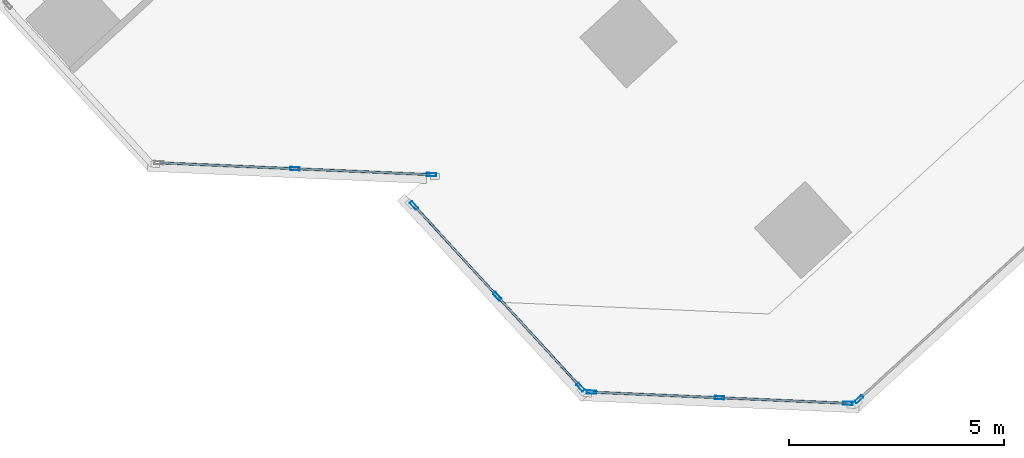
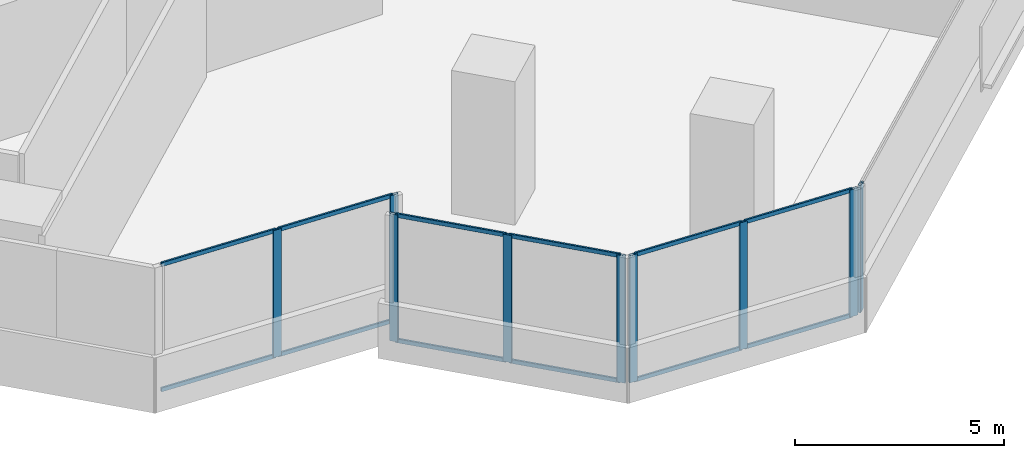
# One storey, part 3 of 16: 21 members, 4 elements without a shape of their own.
"""IFC4 building model written with IfcOpenShell, lengths in metres."""

import ifcopenshell
import ifcopenshell.guid

model = None  # the IFC model being written
_history = None  # IfcOwnerHistory: only IFC2X3 demands one
_inside = {}  # id of a spatial element -> (the spatial element, [elements in it])
_under = {}  # id of a project, library or spatial element -> (it, [spatial elements below it])
_declared = {}  # id of a project -> (the project, [libraries it declares])
_typed = {}  # id of a type object -> (the type object, [elements of that type])
_made_of = {}  # id of a material, layer set ... -> (it, [elements and type objects made of it])


def new_model(schema):
    """Start an empty IFC model of exactly this schema.

    Asked for "IFC4X3", IfcOpenShell would pick the latest addendum, in which some entities
    have other attributes; the version numbers below select the first issue.
    IFC2X3 requires an IfcOwnerHistory on every rooted entity: one is made here for all.
    """
    global model, _history
    if schema == "IFC4X3":
        model = ifcopenshell.file(schema_version=(4, 3, 0, 0))
    else:
        model = ifcopenshell.file(schema=schema)
    _inside.clear()
    _under.clear()
    _declared.clear()
    _typed.clear()
    _made_of.clear()
    _history = None
    if model.schema == "IFC2X3":
        org = make("IfcOrganization", Name="unknown")
        user = make(
            "IfcPersonAndOrganization",
            ThePerson=make("IfcPerson", FamilyName="unknown"),
            TheOrganization=org,
        )
        app = make(
            "IfcApplication",
            ApplicationDeveloper=org,
            Version="unknown",
            ApplicationFullName="unknown",
            ApplicationIdentifier="unknown",
        )
        _history = make(
            "IfcOwnerHistory",
            OwningUser=user,
            OwningApplication=app,
            ChangeAction="ADDED",
            CreationDate=0,
        )
    return model


def make(cls, **values):
    """One entity of the class cls with the attributes given. An attribute that is None is left unset."""
    return model.create_entity(
        cls, **{name: value for name, value in values.items() if value is not None}
    )


def rooted(cls, **values):
    """An entity with a GlobalId (a new one), such as an element, a storey or a relation."""
    return make(cls, GlobalId=ifcopenshell.guid.new(), OwnerHistory=_history, **values)


def si_unit(unit_type, name, prefix=None):
    """IfcSIUnit, for example si_unit("LENGTHUNIT", "METRE", prefix="MILLI")."""
    return make("IfcSIUnit", UnitType=unit_type, Prefix=prefix, Name=name)


def assignment(units):
    """IfcUnitAssignment: the units of a project."""
    return None if units is None else make("IfcUnitAssignment", Units=units)


def point(xyz):
    """IfcCartesianPoint."""
    return None if xyz is None else make("IfcCartesianPoint", Coordinates=xyz)


def direction(xyz):
    """IfcDirection."""
    return None if xyz is None else make("IfcDirection", DirectionRatios=xyz)


def frame(location, z_axis=None, x_axis=None):
    """IfcAxis2Placement3D, a coordinate frame: its origin and axes. An axis left out is left unset."""
    return make(
        "IfcAxis2Placement3D",
        Location=point(location),
        Axis=direction(z_axis),
        RefDirection=direction(x_axis),
    )


def frame_2d(location, x_axis=None):
    """IfcAxis2Placement2D, a coordinate frame in the plane: its origin and x axis."""
    return make(
        "IfcAxis2Placement2D", Location=point(location), RefDirection=direction(x_axis)
    )


def origin():
    """The frame at (0, 0, 0) with its axes left unset."""
    return frame((0.0, 0.0, 0.0))


def origin_2d():
    """The frame at (0, 0) in the plane with its x axis left unset."""
    return frame_2d((0.0, 0.0))


def place(relative_to, where):
    """IfcLocalPlacement: puts the frame where relative to a parent placement (None: the world)."""
    return make(
        "IfcLocalPlacement", PlacementRelTo=relative_to, RelativePlacement=where
    )


def context(
    kind, dimensions, precision=None, world=None, true_north=None, identifier=None
):
    """IfcGeometricRepresentationContext, for example the 3D "Model" context."""
    return make(
        "IfcGeometricRepresentationContext",
        ContextIdentifier=identifier,
        ContextType=kind,
        CoordinateSpaceDimension=dimensions,
        Precision=precision,
        WorldCoordinateSystem=world,
        TrueNorth=true_north,
    )


def subcontext(parent, identifier, kind, view, scale=None):
    """IfcGeometricRepresentationSubContext, for example "Body" below "Model"."""
    return make(
        "IfcGeometricRepresentationSubContext",
        ContextIdentifier=identifier,
        ContextType=kind,
        ParentContext=parent,
        TargetScale=scale,
        TargetView=view,
    )


def project(units=None, contexts=None):
    """IfcProject with its units and contexts."""
    return rooted(
        "IfcProject",
        Name="project",
        RepresentationContexts=contexts,
        UnitsInContext=assignment(units),
    )


def spatial(cls, under=None, at=None, **own):
    """A site, building, storey or space (cls), placed at a placement, below another one or the project."""
    s = rooted(cls, ObjectPlacement=at, **own)
    if under is not None:
        _under.setdefault(under.id(), (under, []))[1].append(s)
    return s


def profile(cls, at=None, kind="AREA", **sizes):
    """A parametric profile (cls). Its sizes go by their IFC names, for example OverallWidth=200.0."""
    return make(cls, ProfileType=kind, Position=at, **sizes)


def hollow_rectangle(**sizes):
    """IfcRectangleHollowProfileDef."""
    return profile("IfcRectangleHollowProfileDef", **sizes)


def extrude(swept, where, along, depth):
    """IfcExtrudedAreaSolid: the profile swept, set in the frame where, extruded along a direction by depth."""
    return make(
        "IfcExtrudedAreaSolid",
        SweptArea=swept,
        Position=where,
        ExtrudedDirection=direction(along),
        Depth=depth,
    )


def shape(context_of_items, identifier, shape_type, items):
    """IfcShapeRepresentation: the items that make up one representation, for example the "Body"."""
    return make(
        "IfcShapeRepresentation",
        ContextOfItems=context_of_items,
        RepresentationIdentifier=identifier,
        RepresentationType=shape_type,
        Items=items,
    )


def source(mapping_origin, context_of_items, identifier, shape_type, items):
    """IfcRepresentationMap: a shape defined once, which mapped items show again and again."""
    return make(
        "IfcRepresentationMap",
        MappingOrigin=mapping_origin,
        MappedRepresentation=shape(context_of_items, identifier, shape_type, items),
    )


def transform(
    local_origin,
    x_axis=None,
    y_axis=None,
    z_axis=None,
    scale=None,
    scale2=None,
    scale3=None,
    uniform=True,
):
    """IfcCartesianTransformationOperator3D, or its non-uniform kind. x_axis, y_axis, z_axis: its Axis1, 2, 3."""
    if uniform:
        return make(
            "IfcCartesianTransformationOperator3D",
            Axis1=direction(x_axis),
            Axis2=direction(y_axis),
            LocalOrigin=point(local_origin),
            Scale=scale,
            Axis3=direction(z_axis),
        )
    return make(
        "IfcCartesianTransformationOperator3DnonUniform",
        Axis1=direction(x_axis),
        Axis2=direction(y_axis),
        LocalOrigin=point(local_origin),
        Scale=scale,
        Axis3=direction(z_axis),
        Scale2=scale2,
        Scale3=scale3,
    )


def mapped(mapping_source, mapping_target):
    """IfcMappedItem: shows the shape of a source again, moved by a transform."""
    return make(
        "IfcMappedItem", MappingSource=mapping_source, MappingTarget=mapping_target
    )


def material(Name=None, Category=None):
    """IfcMaterial."""
    return make("IfcMaterial", Name=Name, Category=Category)


def material_profile(
    of_material, cross_section, Name=None, Category=None, Priority=None
):
    """IfcMaterialProfile: a cross section and its material."""
    return make(
        "IfcMaterialProfile",
        Name=Name,
        Material=of_material,
        Profile=cross_section,
        Priority=Priority,
        Category=Category,
    )


def profile_set(profiles, Name=None, composite=None):
    """IfcMaterialProfileSet."""
    return make(
        "IfcMaterialProfileSet",
        Name=Name,
        MaterialProfiles=profiles,
        CompositeProfile=composite,
    )


def made_of(thing, what):
    """Note that an element or type object is made of a material, layer set ...; save() writes the relation."""
    if what is not None:
        _made_of.setdefault(what.id(), (what, []))[1].append(thing)
    return thing


def type_object(cls, material=None, **own):
    """A type object (cls), such as IfcWallType, which elements share."""
    return made_of(rooted(cls, **own), material)


def element(
    cls,
    number,
    at=None,
    inside=None,
    cuts=None,
    type_object=None,
    material=None,
    context=None,
    identifier="Body",
    shape_type=None,
    held_by="IfcProductDefinitionShape",
    body=None,
    shapes=None,
    **own,
):
    """One element of the class cls, such as IfcWall. Its Tag is "e" and its number.

    at: its placement. inside: the storey or other place that contains it. cuts: it is an
    opening in that element (IfcRelVoidsElement). A single representation is given by context,
    identifier, shape_type and body (its items); several are given by shapes. held_by: the class
    of the entity that holds the representations. save() writes the other relations.
    """
    e = rooted(cls, Tag="e%d" % number, ObjectPlacement=at, **own)
    if body is not None:
        shapes = [shape(context, identifier, shape_type, body)]
    if shapes is not None:
        e.Representation = make(held_by, Representations=shapes)
    if inside is not None:
        _inside.setdefault(inside.id(), (inside, []))[1].append(e)
    if cuts is not None:
        rooted(
            "IfcRelVoidsElement", RelatingBuildingElement=cuts, RelatedOpeningElement=e
        )
    if type_object is not None:
        _typed.setdefault(type_object.id(), (type_object, []))[1].append(e)
    return made_of(e, material)


def aggregate(whole, parts):
    """IfcRelAggregates: a whole, such as a stair, and the parts it consists of."""
    return rooted("IfcRelAggregates", RelatingObject=whole, RelatedObjects=parts)


def save(model, path):
    """Write the relations noted so far, then the file.

    IfcRelAggregates (storeys below a building ...), IfcRelContainedInSpatialStructure (elements
    in a storey), IfcRelDefinesByType, IfcRelAssociatesMaterial and IfcRelDeclares: one each for
    every whole, place, type object, material and project.
    """
    for whole, parts in _under.values():
        aggregate(whole, parts)
    for where, things in _inside.values():
        rooted(
            "IfcRelContainedInSpatialStructure",
            RelatedElements=things,
            RelatingStructure=where,
        )
    for kind, things in _typed.values():
        rooted("IfcRelDefinesByType", RelatedObjects=things, RelatingType=kind)
    for what, things in _made_of.values():
        rooted("IfcRelAssociatesMaterial", RelatedObjects=things, RelatingMaterial=what)
    for by, libraries in _declared.values():
        rooted("IfcRelDeclares", RelatingContext=by, RelatedDefinitions=libraries)
    model.write(path)


model = new_model("IFC4")

# Units and contexts
model_context = context("Model", 3, precision=1e-05, world=origin(), true_north=direction((0.0, 1.0)))
body_context = subcontext(model_context, "Body", "Model", "MODEL_VIEW")
ifc_project = project(units=[si_unit("LENGTHUNIT", "METRE"), si_unit("AREAUNIT", "SQUARE_METRE"), si_unit("VOLUMEUNIT", "CUBIC_METRE"), si_unit("PLANEANGLEUNIT", "RADIAN"), si_unit("MASSUNIT", "GRAM", prefix="KILO")], contexts=[model_context])

# Site, building, storey
site_placement = place(None, origin())
site = spatial("IfcSite", under=ifc_project, at=site_placement, CompositionType="ELEMENT")
building_placement = place(site_placement, origin())
building = spatial("IfcBuilding", under=site, at=building_placement, Name="Torre Montelarca", CompositionType="ELEMENT")
storey_placement = place(building_placement, frame((0.0, 0.0, 262.60009765625)))
storey = spatial("IfcBuildingStorey", under=building, at=storey_placement, Name="L59", CompositionType="ELEMENT", Elevation=262.60009765625)

# Curtain wall, members
ifc_material_1 = material(Name="Insulated low-E laminated glass", Category="glass")
curtain_wall_type = type_object("IfcCurtainWallType", Name="CW-SYS-Z3", PredefinedType="USERDEFINED", material=ifc_material_1)
curtain_wall_1_placement = place(storey_placement, origin())
curtain_wall_1 = element("IfcCurtainWall", 1, at=curtain_wall_1_placement, inside=storey, type_object=curtain_wall_type, Name="L59 Curtain Wall Run CW-T3-L59-E02-B1", ObjectType="UNITISED GLAZING", PredefinedType="USERDEFINED")
ifc_material_2 = material(Name="Anodised aluminium AA 6063-T6", Category="aluminium")
ifc_material_profile_1 = material_profile(ifc_material_2, hollow_rectangle(XDim=0.054931640625, YDim=0.1201171875, WallThickness=0.00341796875, InnerFilletRadius=0.00341796875, OuterFilletRadius=0.007080078125, at=origin_2d()), Name="ALU55X120X3.5", Category="aluminium")
ifc_profile_set_1 = profile_set([ifc_material_profile_1], Name="Anodised aluminium AA 6063-T6")
member_type_1 = type_object("IfcMemberType", Name="CWT-ALU120", PredefinedType="USERDEFINED", material=ifc_profile_set_1)
shared_shape_1 = source(origin(), body_context, "Body", "SweptSolid", [
    extrude(hollow_rectangle(XDim=0.054931640625, YDim=0.1201171875, WallThickness=0.00341796875, InnerFilletRadius=0.00341796875, OuterFilletRadius=0.007080078125, at=origin_2d()), origin(), (0.0, 0.0, 1.0), 3.08740234375),
])
member_1_placement = place(storey_placement, frame((17.702880859375, 12.90283203125, 0.02734375), z_axis=(0.999046885294, -0.043649982641, 0.0), x_axis=(0.043649982641, 0.999046885294, 0.0)))
member_1 = element("IfcMember", 2, at=member_1_placement, type_object=member_type_1, Name="CW transom 2.1", ObjectType="TRANSOM", PredefinedType="USERDEFINED", context=body_context, shape_type="MappedRepresentation", body=[
    mapped(shared_shape_1, transform((0.0, 0.0, 0.0), scale=1.0)),
])
member_2_placement = place(storey_placement, frame((17.702880859375, 12.90283203125, 3.6923828125), z_axis=(0.999046885294, -0.043649982641, 0.0), x_axis=(0.043649982641, 0.999046885294, 0.0)))
member_2 = element("IfcMember", 3, at=member_2_placement, type_object=member_type_1, Name="CW transom 2.2", ObjectType="TRANSOM", PredefinedType="USERDEFINED", context=body_context, shape_type="MappedRepresentation", body=[
    mapped(shared_shape_1, transform((0.0, 0.0, 0.0), scale=1.0)),
])

curtain_wall_2_placement = place(storey_placement, origin())
curtain_wall_2 = element("IfcCurtainWall", 4, at=curtain_wall_2_placement, inside=storey, type_object=curtain_wall_type, Name="L59 Curtain Wall Run CW-T3-L59-E05-B1", ObjectType="UNITISED GLAZING", PredefinedType="USERDEFINED")
shared_shape_2 = source(origin(), body_context, "Body", "SweptSolid", [
    extrude(hollow_rectangle(XDim=0.054931640625, YDim=0.1201171875, WallThickness=0.00341796875, InnerFilletRadius=0.00341796875, OuterFilletRadius=0.007080078125, at=origin_2d()), origin(), (0.0, 0.0, 1.0), 2.903564453125),
])
member_3_placement = place(storey_placement, frame((24.57373046875, 7.718994140625, 0.02734375), z_axis=(0.999047412839, -0.043637906688, 0.0), x_axis=(0.043637906688, 0.999047412839, 0.0)))
member_3 = element("IfcMember", 5, at=member_3_placement, type_object=member_type_1, Name="CW transom 1.1", ObjectType="TRANSOM", PredefinedType="USERDEFINED", context=body_context, shape_type="MappedRepresentation", body=[
    mapped(shared_shape_2, transform((0.0, 0.0, 0.0), scale=1.0)),
])
member_4_placement = place(storey_placement, frame((24.57373046875, 7.718994140625, 3.6923828125), z_axis=(0.999047412839, -0.043637906688, 0.0), x_axis=(0.043637906688, 0.999047412839, 0.0)))
member_4 = element("IfcMember", 6, at=member_4_placement, type_object=member_type_1, Name="CW transom 1.2", ObjectType="TRANSOM", PredefinedType="USERDEFINED", context=body_context, shape_type="MappedRepresentation", body=[
    mapped(shared_shape_2, transform((0.0, 0.0, 0.0), scale=1.0)),
])
member_5_placement = place(storey_placement, frame((27.549560546875, 7.589111328125, 0.02734375), z_axis=(0.999047412839, -0.043637906688, 0.0), x_axis=(0.043637906688, 0.999047412839, 0.0)))
member_5 = element("IfcMember", 7, at=member_5_placement, type_object=member_type_1, Name="CW transom 2.1", ObjectType="TRANSOM", PredefinedType="USERDEFINED", context=body_context, shape_type="MappedRepresentation", body=[
    mapped(shared_shape_2, transform((0.0, 0.0, 0.0), scale=1.0)),
])
member_6_placement = place(storey_placement, frame((27.549560546875, 7.589111328125, 3.6923828125), z_axis=(0.999047412839, -0.043637906688, 0.0), x_axis=(0.043637906688, 0.999047412839, 0.0)))
member_6 = element("IfcMember", 8, at=member_6_placement, type_object=member_type_1, Name="CW transom 2.2", ObjectType="TRANSOM", PredefinedType="USERDEFINED", context=body_context, shape_type="MappedRepresentation", body=[
    mapped(shared_shape_2, transform((0.0, 0.0, 0.0), scale=1.0)),
])

# Member
ifc_material_profile_2 = material_profile(ifc_material_2, hollow_rectangle(XDim=0.074951171875, YDim=0.219970703125, WallThickness=0.0048828125, InnerFilletRadius=0.0048828125, OuterFilletRadius=0.010009765625, at=origin_2d()), Name="ALU75X220X5", Category="aluminium")
ifc_profile_set_2 = profile_set([ifc_material_profile_2], Name="Anodised aluminium AA 6063-T6")
member_type_2 = type_object("IfcMemberType", Name="CWM-ALU220", PredefinedType="MULLION", material=ifc_profile_set_2)
shared_shape_3 = source(origin(), body_context, "Body", "SweptSolid", [
    extrude(hollow_rectangle(XDim=0.074951171875, YDim=0.219970703125, WallThickness=0.0048828125, InnerFilletRadius=0.0048828125, OuterFilletRadius=0.010009765625, at=origin_2d()), origin(), (0.0, 0.0, 1.0), 3.719970703125),
])
member_7_placement = place(storey_placement, frame((17.665283203125, 12.904296875, 0.0), z_axis=(0.0, 0.0, 1.0), x_axis=(0.043610133473, 0.999048625573, 0.0)))
member_7 = element("IfcMember", 9, at=member_7_placement, type_object=member_type_2, Name="CW mullion 2", PredefinedType="MULLION", context=body_context, shape_type="MappedRepresentation", body=[
    mapped(shared_shape_3, transform((0.0, 0.0, 0.0), scale=1.0)),
])

member_8_placement = place(storey_placement, frame((20.82470703125, 12.766357421875, 0.0), z_axis=(0.0, 0.0, 1.0), x_axis=(0.043610133473, 0.999048625573, 0.0)))
member_8 = element("IfcMember", 10, at=member_8_placement, type_object=member_type_2, Name="CW mullion 3", PredefinedType="MULLION", context=body_context, shape_type="MappedRepresentation", body=[
    mapped(shared_shape_3, transform((0.0, 0.0, 0.0), scale=1.0)),
])

# Curtain wall, members
curtain_wall_3_placement = place(storey_placement, origin())
curtain_wall_3 = element("IfcCurtainWall", 11, at=curtain_wall_3_placement, inside=storey, type_object=curtain_wall_type, Name="L59 Curtain Wall Run CW-T3-L59-E04-B1", ObjectType="UNITISED GLAZING", PredefinedType="USERDEFINED")
member_9_placement = place(storey_placement, frame((20.423583984375, 12.052734375, 0.0), z_axis=(0.0, 0.0, 1.0), x_axis=(0.737293151819, 0.675572948157, 0.0)))
member_9 = element("IfcMember", 12, at=member_9_placement, type_object=member_type_2, Name="CW mullion 1", PredefinedType="MULLION", context=body_context, shape_type="MappedRepresentation", body=[
    mapped(shared_shape_3, transform((0.0, 0.0, 0.0), scale=1.0)),
])
member_10_placement = place(storey_placement, frame((22.354736328125, 9.945068359375, 0.0), z_axis=(0.0, 0.0, 1.0), x_axis=(0.737293151819, 0.675572948157, 0.0)))
member_10 = element("IfcMember", 13, at=member_10_placement, type_object=member_type_2, Name="CW mullion 2", PredefinedType="MULLION", context=body_context, shape_type="MappedRepresentation", body=[
    mapped(shared_shape_3, transform((0.0, 0.0, 0.0), scale=1.0)),
])
member_11_placement = place(storey_placement, frame((24.285888671875, 7.83740234375, 0.0), z_axis=(0.0, 0.0, 1.0), x_axis=(0.737293151819, 0.675572948157, 0.0)))
member_11 = element("IfcMember", 14, at=member_11_placement, type_object=member_type_2, Name="CW mullion 3", PredefinedType="MULLION", context=body_context, shape_type="MappedRepresentation", body=[
    mapped(shared_shape_3, transform((0.0, 0.0, 0.0), scale=1.0)),
])

# Member
member_12_placement = place(storey_placement, frame((24.536376953125, 7.720703125, 0.0), z_axis=(0.0, 0.0, 1.0), x_axis=(0.043615635968, 0.999048385364, 0.0)))
member_12 = element("IfcMember", 15, at=member_12_placement, type_object=member_type_2, Name="CW mullion 1", PredefinedType="MULLION", context=body_context, shape_type="MappedRepresentation", body=[
    mapped(shared_shape_3, transform((0.0, 0.0, 0.0), scale=1.0)),
])

member_13_placement = place(storey_placement, frame((27.51220703125, 7.5908203125, 0.0), z_axis=(0.0, 0.0, 1.0), x_axis=(0.043615635968, 0.999048385364, 0.0)))
member_13 = element("IfcMember", 16, at=member_13_placement, type_object=member_type_2, Name="CW mullion 2", PredefinedType="MULLION", context=body_context, shape_type="MappedRepresentation", body=[
    mapped(shared_shape_3, transform((0.0, 0.0, 0.0), scale=1.0)),
])

member_14_placement = place(storey_placement, frame((30.488037109375, 7.4609375, 0.0), z_axis=(0.0, 0.0, 1.0), x_axis=(0.043615635968, 0.999048385364, 0.0)))
member_14 = element("IfcMember", 17, at=member_14_placement, type_object=member_type_2, Name="CW mullion 3", PredefinedType="MULLION", context=body_context, shape_type="MappedRepresentation", body=[
    mapped(shared_shape_3, transform((0.0, 0.0, 0.0), scale=1.0)),
])

aggregate(curtain_wall_2, [member_12, member_13, member_14, member_3, member_4, member_5, member_6])

# Curtain wall, member
curtain_wall_4_placement = place(storey_placement, origin())
curtain_wall_4 = element("IfcCurtainWall", 18, at=curtain_wall_4_placement, inside=storey, type_object=curtain_wall_type, Name="L59 Curtain Wall Run CW-T3-L59-E06-B1", ObjectType="UNITISED GLAZING", PredefinedType="USERDEFINED")
member_15_placement = place(storey_placement, frame((30.74755859375, 7.555419921875, 0.0), z_axis=(0.0, 0.0, 1.0), x_axis=(-0.675587287841, 0.73728001228, 0.0)))
member_15 = element("IfcMember", 19, at=member_15_placement, type_object=member_type_2, Name="CW mullion 1", PredefinedType="MULLION", context=body_context, shape_type="MappedRepresentation", body=[
    mapped(shared_shape_3, transform((0.0, 0.0, 0.0), scale=1.0)),
])
aggregate(curtain_wall_4, [member_15])

# Member
shared_shape_4 = source(origin(), body_context, "Body", "SweptSolid", [
    extrude(hollow_rectangle(XDim=0.054931640625, YDim=0.1201171875, WallThickness=0.00341796875, InnerFilletRadius=0.00341796875, OuterFilletRadius=0.007080078125, at=origin_2d()), origin(), (0.0, 0.0, 1.0), 2.78369140625),
])
member_16_placement = place(storey_placement, frame((22.380126953125, 9.917236328125, 0.02734375), z_axis=(0.675605470832, -0.737263350359, 0.0), x_axis=(0.737263350359, 0.675605470832, 0.0)))
member_16 = element("IfcMember", 20, at=member_16_placement, type_object=member_type_1, Name="CW transom 2.1", ObjectType="TRANSOM", PredefinedType="USERDEFINED", context=body_context, shape_type="MappedRepresentation", body=[
    mapped(shared_shape_4, transform((0.0, 0.0, 0.0), scale=1.0)),
])

member_17_placement = place(storey_placement, frame((22.380126953125, 9.917236328125, 3.6923828125), z_axis=(0.675605470832, -0.737263350359, 0.0), x_axis=(0.737263350359, 0.675605470832, 0.0)))
member_17 = element("IfcMember", 21, at=member_17_placement, type_object=member_type_1, Name="CW transom 2.2", ObjectType="TRANSOM", PredefinedType="USERDEFINED", context=body_context, shape_type="MappedRepresentation", body=[
    mapped(shared_shape_4, transform((0.0, 0.0, 0.0), scale=1.0)),
])

shared_shape_5 = source(origin(), body_context, "Body", "SweptSolid", [
    extrude(hollow_rectangle(XDim=0.054931640625, YDim=0.1201171875, WallThickness=0.00341796875, InnerFilletRadius=0.00341796875, OuterFilletRadius=0.007080078125, at=origin_2d()), origin(), (0.0, 0.0, 1.0), 3.087646484375),
])
member_18_placement = place(storey_placement, frame((14.543212890625, 13.04052734375, 0.02734375), z_axis=(0.99905048067, -0.043567614947, 0.0), x_axis=(0.043567614947, 0.99905048067, 0.0)))
member_18 = element("IfcMember", 22, at=member_18_placement, type_object=member_type_1, Name="CW transom 1.1", ObjectType="TRANSOM", PredefinedType="USERDEFINED", context=body_context, shape_type="MappedRepresentation", body=[
    mapped(shared_shape_5, transform((0.0, 0.0, 0.0), scale=1.0)),
])

member_19_placement = place(storey_placement, frame((14.543212890625, 13.04052734375, 3.6923828125), z_axis=(0.99905048067, -0.043567614947, 0.0), x_axis=(0.043567614947, 0.99905048067, 0.0)))
member_19 = element("IfcMember", 23, at=member_19_placement, type_object=member_type_1, Name="CW transom 1.2", ObjectType="TRANSOM", PredefinedType="USERDEFINED", context=body_context, shape_type="MappedRepresentation", body=[
    mapped(shared_shape_5, transform((0.0, 0.0, 0.0), scale=1.0)),
])

aggregate(curtain_wall_1, [member_7, member_8, member_18, member_19, member_1, member_2])

shared_shape_6 = source(origin(), body_context, "Body", "SweptSolid", [
    extrude(hollow_rectangle(XDim=0.054931640625, YDim=0.1201171875, WallThickness=0.00341796875, InnerFilletRadius=0.00341796875, OuterFilletRadius=0.007080078125, at=origin_2d()), origin(), (0.0, 0.0, 1.0), 2.783447265625),
])
member_20_placement = place(storey_placement, frame((20.448974609375, 12.02490234375, 0.02734375), z_axis=(0.675557792928, -0.737307038088, 0.0), x_axis=(0.737307038088, 0.675557792928, 0.0)))
member_20 = element("IfcMember", 24, at=member_20_placement, type_object=member_type_1, Name="CW transom 1.1", ObjectType="TRANSOM", PredefinedType="USERDEFINED", context=body_context, shape_type="MappedRepresentation", body=[
    mapped(shared_shape_6, transform((0.0, 0.0, 0.0), scale=1.0)),
])

member_21_placement = place(storey_placement, frame((20.448974609375, 12.02490234375, 3.6923828125), z_axis=(0.675557792928, -0.737307038088, 0.0), x_axis=(0.737307038088, 0.675557792928, 0.0)))
member_21 = element("IfcMember", 25, at=member_21_placement, type_object=member_type_1, Name="CW transom 1.2", ObjectType="TRANSOM", PredefinedType="USERDEFINED", context=body_context, shape_type="MappedRepresentation", body=[
    mapped(shared_shape_6, transform((0.0, 0.0, 0.0), scale=1.0)),
])

aggregate(curtain_wall_3, [member_9, member_10, member_11, member_20, member_21, member_16, member_17])

save(model, "model.ifc")
